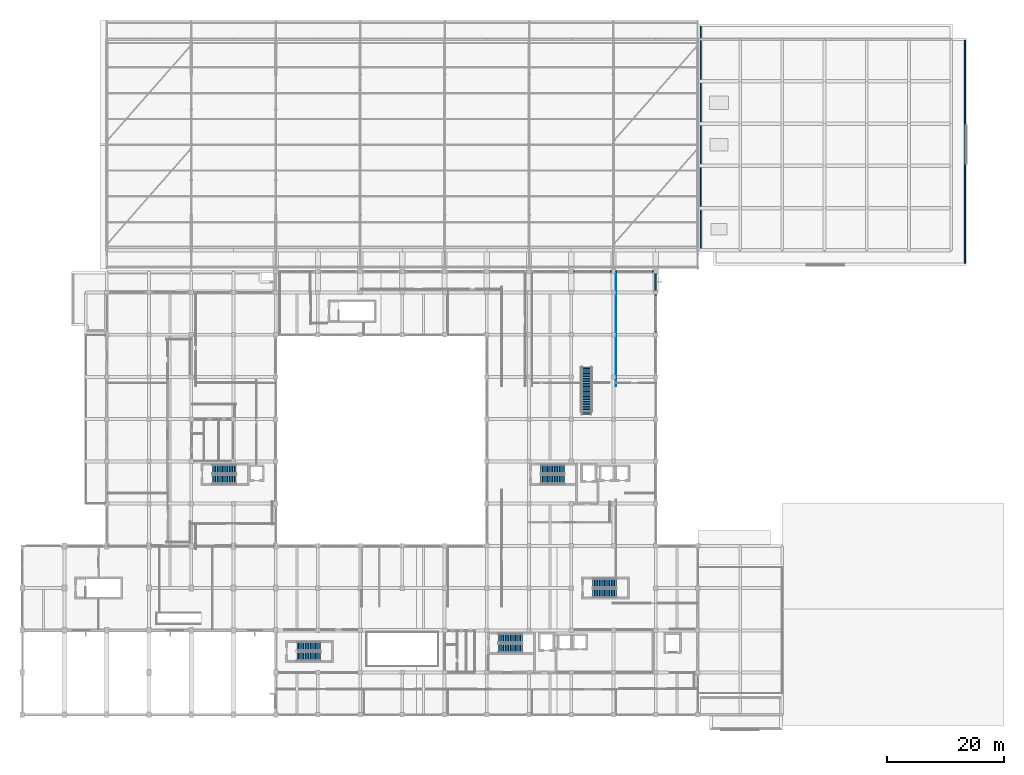
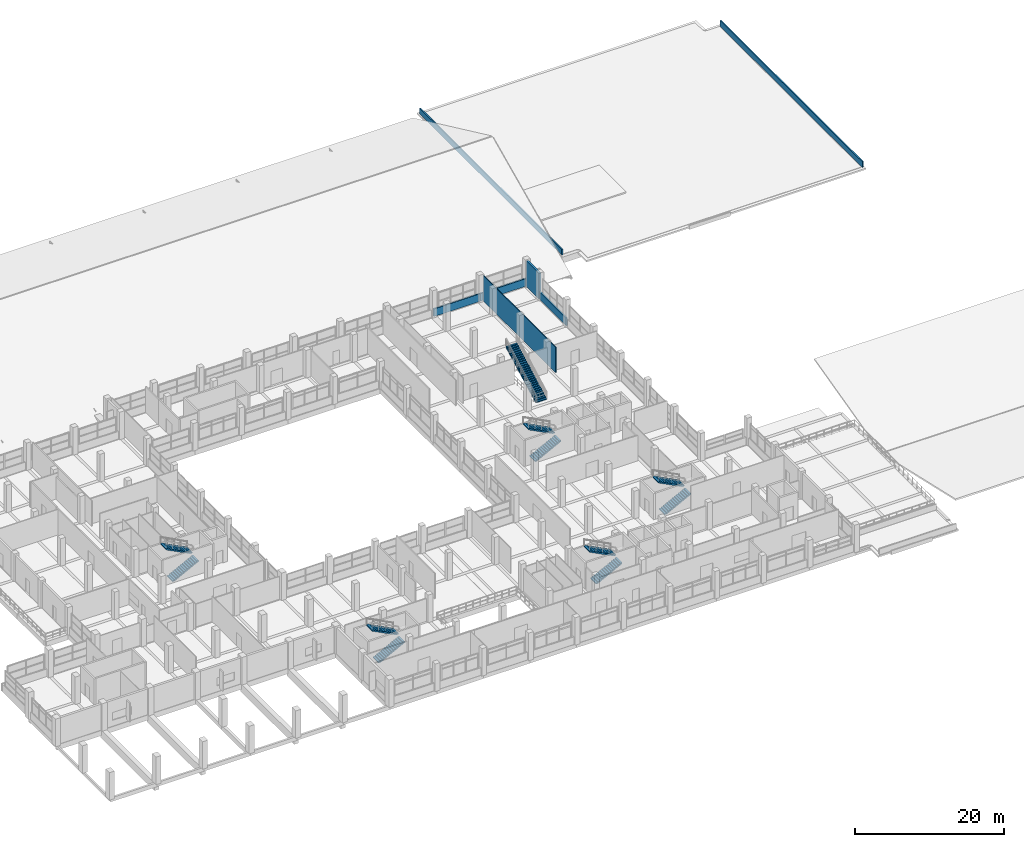
# One storey, part 133 of 141: 11 stair flights, 7 walls, 6 elements without a shape of their own.
"""IFC4 building model written with IfcOpenShell, lengths in metres."""

from ifc_helpers import new_model, si_unit, direction, frame, frame_2d, origin, place, context, subcontext, project, spatial, polyline, rectangle, outline, extrude, material, layer, layer_set, type_object, element, aggregate, save


model = new_model("IFC4")

# Units and contexts
model_context = context("Model", 3, precision=1e-05, world=origin(), true_north=direction((0.0, 1.0)))
body_context = subcontext(model_context, "Body", "Model", "MODEL_VIEW")
ifc_project = project(units=[si_unit("LENGTHUNIT", "METRE"), si_unit("AREAUNIT", "SQUARE_METRE"), si_unit("VOLUMEUNIT", "CUBIC_METRE"), si_unit("PLANEANGLEUNIT", "RADIAN"), si_unit("MASSUNIT", "GRAM", prefix="KILO")], contexts=[model_context])

# Site, building, storey
site_placement = place(None, origin())
site = spatial("IfcSite", under=ifc_project, at=site_placement, CompositionType="ELEMENT")
building_placement = place(site_placement, origin())
building = spatial("IfcBuilding", under=site, at=building_placement, Name="Seraya Terrace Polytechnic", CompositionType="ELEMENT")
storey_placement = place(building_placement, frame((0.0, 0.0, 14.39990234375)))
storey = spatial("IfcBuildingStorey", under=building, at=storey_placement, Name="L03", CompositionType="ELEMENT", Elevation=14.39990234375)

# Walls
ifc_material_1 = material(Name="Precast concrete C40/50", Category="concrete")
ifc_layer_1 = layer(ifc_material_1, 0.280029296875, Name="EW-02")
ifc_layer_set_1 = layer_set([ifc_layer_1], Name="Precast concrete C40/50")
wall_type_1 = type_object("IfcWallType", Name="EW-02", PredefinedType="SOLIDWALL", material=ifc_layer_set_1)
wall_1_placement = place(storey_placement, frame((108.0, 75.447998046875, 0.0), z_axis=(0.0, 0.0, 1.0), x_axis=(0.0, -1.0, 0.0)))
element("IfcWall", 1, at=wall_1_placement, inside=storey, type_object=wall_type_1, Name="Exterior structural wall EW-02 L03", PredefinedType="SOLIDWALL", context=body_context, shape_type="SweptSolid", body=[
    extrude(rectangle(XDim=3.447998046875, YDim=0.280029296875, at=frame_2d((1.72412109375, 0.0))), origin(), (0.0, 0.0, 1.0), 4.22021484375),
])
ifc_layer_2 = layer(ifc_material_1, 0.219970703125, Name="EW-05")
ifc_layer_set_2 = layer_set([ifc_layer_2], Name="Precast concrete C40/50")
wall_type_2 = type_object("IfcWallType", Name="EW-05", PredefinedType="SOLIDWALL", material=ifc_layer_set_2)
wall_2_placement = place(storey_placement, frame((93.60009765625, 75.60009765625, 0.0), z_axis=(0.0, 0.0, 1.0), x_axis=(1.0, 0.0, 0.0)))
element("IfcWall", 2, at=wall_2_placement, inside=storey, type_object=wall_type_2, Name="Precast spandrel wall L03", PredefinedType="SOLIDWALL", context=body_context, shape_type="SweptSolid", body=[
    extrude(rectangle(XDim=7.199951171875, YDim=0.219970703125, at=frame_2d((3.60009765625, 0.0))), origin(), (0.0, 0.0, 1.0), 1.239990234375),
])
wall_3_placement = place(storey_placement, frame((100.800048828125, 75.60009765625, 0.0), z_axis=(0.0, 0.0, 1.0), x_axis=(1.0, 0.0, 0.0)))
element("IfcWall", 3, at=wall_3_placement, inside=storey, type_object=wall_type_2, Name="Precast spandrel wall L03", PredefinedType="SOLIDWALL", context=body_context, shape_type="SweptSolid", body=[
    extrude(rectangle(XDim=7.349853515625, YDim=0.219970703125, at=frame_2d((3.6748046875, 0.0))), origin(), (0.0, 0.0, 1.0), 1.239990234375),
])
wall_4_placement = place(storey_placement, frame((108.0, 72.0, 0.0), z_axis=(0.0, 0.0, 1.0), x_axis=(0.0, -1.0, 0.0)))
element("IfcWall", 4, at=wall_4_placement, inside=storey, type_object=wall_type_2, Name="Precast spandrel wall L03", PredefinedType="SOLIDWALL", context=body_context, shape_type="SweptSolid", body=[
    extrude(rectangle(XDim=7.199951171875, YDim=0.219970703125, at=frame_2d((3.60009765625, 0.0))), origin(), (0.0, 0.0, 1.0), 1.239990234375),
])
ifc_material_2 = material(Name="Autoclaved aerated concrete blockwork", Category="masonry")
ifc_layer_3 = layer(ifc_material_2, 0.1201171875, Name="PT-05")
ifc_layer_set_3 = layer_set([ifc_layer_3], Name="Autoclaved aerated concrete blockwork")
wall_type_3 = type_object("IfcWallType", Name="PT-05", PredefinedType="PARTITIONING", material=ifc_layer_set_3)
wall_5_placement = place(storey_placement, frame((101.242919921875, 56.030029296875, 0.0), z_axis=(0.0, 0.0, 1.0), x_axis=(0.0, 1.0, 0.0)))
element("IfcWall", 5, at=wall_5_placement, inside=storey, type_object=wall_type_3, Name="Internal partition PT-05 L03", PredefinedType="PARTITIONING", context=body_context, shape_type="SweptSolid", body=[
    extrude(rectangle(XDim=19.447998046875, YDim=0.1201171875, at=frame_2d((9.72412109375, 0.0))), origin(), (0.0, 0.0, 1.0), 4.16015625),
])
ifc_layer_4 = layer(ifc_material_1, 0.179931640625, Name="PW-P2")
ifc_layer_set_4 = layer_set([ifc_layer_4], Name="Precast concrete C40/50")
wall_type_4 = type_object("IfcWallType", Name="PW-P2", PredefinedType="PARAPET", material=ifc_layer_set_4)
wall_6_placement = place(storey_placement, frame((115.699951171875, 79.360107421875, 0.0), z_axis=(0.0, 0.0, 1.0), x_axis=(0.0, 1.0, 0.0)))
element("IfcWall", 6, at=wall_6_placement, inside=storey, type_object=wall_type_4, Name="Roof parapet ROOF-L03-V1ANNEX 6.1", PredefinedType="PARAPET", context=body_context, shape_type="SweptSolid", body=[
    extrude(rectangle(XDim=38.079833984375, YDim=0.179931640625, at=frame_2d((19.0400390625, 0.0))), origin(), (0.0, 0.0, 1.0), 0.9501953125),
])
wall_7_placement = place(storey_placement, frame((160.75, 115.0400390625, 0.0), z_axis=(0.0, 0.0, 1.0), x_axis=(0.0, -1.0, 0.0)))
element("IfcWall", 7, at=wall_7_placement, inside=storey, type_object=wall_type_4, Name="Roof parapet ROOF-L03-V1ANNEX 14.1", PredefinedType="PARAPET", context=body_context, shape_type="SweptSolid", body=[
    extrude(rectangle(XDim=38.080078125, YDim=0.179931640625, at=frame_2d((19.0400390625, 0.0))), origin(), (0.0, 0.0, 1.0), 0.9501953125),
])

# Stair, stair flights
ifc_material_3 = material(Name="Concrete C40/50", Category="concrete")
stair_type_1 = type_object("IfcStairType", Name="ST-T2", PredefinedType="HALF_TURN_STAIR", material=ifc_material_3)
stair_1_placement = place(storey_placement, origin())
stair_1 = element("IfcStair", 8, at=stair_1_placement, inside=storey, type_object=stair_type_1, Name="L03 Protected exit stair ST-01", PredefinedType="HALF_TURN_STAIR")
stair_flight_type_1 = type_object("IfcStairFlightType", Name="SF-02", PredefinedType="STRAIGHT", material=ifc_material_3)
stair_flight_1_placement = place(storey_placement, frame((81.199951171875, 11.35009765625, 0.0), z_axis=(0.0, 0.0, 1.0), x_axis=(1.0, 0.0, 0.0)))
stair_flight_1 = element("IfcStairFlight", 9, at=stair_flight_1_placement, type_object=stair_flight_type_1, Name="ST-01 flight 1", NumberOfRisers=15, NumberOfTreads=14, PredefinedType="STRAIGHT", RiserHeight=0.15, TreadLength=0.29, context=body_context, shape_type="SweptSolid", body=[
    extrude(outline(polyline([(0.0, 0.0), (0.0, 0.14990234375), (0.2900390625, 0.14990234375), (0.2900390625, 0.300048828125), (0.580078125, 0.300048828125), (0.580078125, 0.449951171875), (0.8701171875, 0.449951171875), (0.8701171875, 0.60009765625), (1.159912109375, 0.60009765625), (1.159912109375, 0.75), (1.449951171875, 0.75), (1.449951171875, 0.89990234375), (1.739990234375, 0.89990234375), (1.739990234375, 1.050048828125), (2.030029296875, 1.050048828125), (2.030029296875, 1.199951171875), (2.320068359375, 1.199951171875), (2.320068359375, 1.35009765625), (2.610107421875, 1.35009765625), (2.610107421875, 1.5), (2.89990234375, 1.5), (2.89990234375, 1.64990234375), (3.18994140625, 1.64990234375), (3.18994140625, 1.800048828125), (3.47998046875, 1.800048828125), (3.47998046875, 1.949951171875), (3.77001953125, 1.949951171875), (3.77001953125, 2.10009765625), (4.06005859375, 2.10009765625), (4.06005859375, 2.25), (4.06005859375, 1.919921875), (0.34814453125, 0.0), (0.0, 0.0)])), frame((0.0, 0.75, 0.0), z_axis=(0.0, -1.0, 0.0), x_axis=(1.0, 0.0, 0.0)), (0.0, 0.0, 1.0), 1.5),
])
stair_flight_2_placement = place(storey_placement, frame((85.260009765625, 13.050048828125, 2.25), z_axis=(0.0, 0.0, 1.0), x_axis=(-1.0, 0.0, 0.0)))
stair_flight_2 = element("IfcStairFlight", 10, at=stair_flight_2_placement, type_object=stair_flight_type_1, Name="ST-01 flight 2", NumberOfRisers=15, NumberOfTreads=14, PredefinedType="STRAIGHT", RiserHeight=0.15, TreadLength=0.29, context=body_context, shape_type="SweptSolid", body=[
    extrude(outline(polyline([(0.0, 0.0), (0.0, 0.14990234375), (0.2900390625, 0.14990234375), (0.2900390625, 0.300048828125), (0.580078125, 0.300048828125), (0.580078125, 0.449951171875), (0.8701171875, 0.449951171875), (0.8701171875, 0.60009765625), (1.159912109375, 0.60009765625), (1.159912109375, 0.75), (1.449951171875, 0.75), (1.449951171875, 0.89990234375), (1.739990234375, 0.89990234375), (1.739990234375, 1.050048828125), (2.030029296875, 1.050048828125), (2.030029296875, 1.199951171875), (2.320068359375, 1.199951171875), (2.320068359375, 1.35009765625), (2.610107421875, 1.35009765625), (2.610107421875, 1.5), (2.89990234375, 1.5), (2.89990234375, 1.64990234375), (3.18994140625, 1.64990234375), (3.18994140625, 1.800048828125), (3.47998046875, 1.800048828125), (3.47998046875, 1.949951171875), (3.77001953125, 1.949951171875), (3.77001953125, 2.10009765625), (4.06005859375, 2.10009765625), (4.06005859375, 2.25), (4.06005859375, 1.919921875), (0.34814453125, 0.0), (0.0, 0.0)])), frame((0.0, 0.75, 0.0), z_axis=(0.0, -1.0, 0.0), x_axis=(1.0, 0.0, 0.0)), (0.0, 0.0, 1.0), 1.5),
])
aggregate(stair_1, [stair_flight_1, stair_flight_2])

stair_2_placement = place(storey_placement, origin())
stair_2 = element("IfcStair", 11, at=stair_2_placement, inside=storey, type_object=stair_type_1, Name="L03 Protected exit stair ST-02", PredefinedType="HALF_TURN_STAIR")
stair_flight_3_placement = place(storey_placement, frame((88.39990234375, 40.14990234375, 0.0), z_axis=(0.0, 0.0, 1.0), x_axis=(1.0, 0.0, 0.0)))
stair_flight_3 = element("IfcStairFlight", 12, at=stair_flight_3_placement, type_object=stair_flight_type_1, Name="ST-02 flight 1", NumberOfRisers=15, NumberOfTreads=14, PredefinedType="STRAIGHT", RiserHeight=0.15, TreadLength=0.29, context=body_context, shape_type="SweptSolid", body=[
    extrude(outline(polyline([(0.0, 0.0), (0.0, 0.14990234375), (0.2900390625, 0.14990234375), (0.2900390625, 0.300048828125), (0.580078125, 0.300048828125), (0.580078125, 0.449951171875), (0.8701171875, 0.449951171875), (0.8701171875, 0.60009765625), (1.159912109375, 0.60009765625), (1.159912109375, 0.75), (1.449951171875, 0.75), (1.449951171875, 0.89990234375), (1.739990234375, 0.89990234375), (1.739990234375, 1.050048828125), (2.030029296875, 1.050048828125), (2.030029296875, 1.199951171875), (2.320068359375, 1.199951171875), (2.320068359375, 1.35009765625), (2.610107421875, 1.35009765625), (2.610107421875, 1.5), (2.89990234375, 1.5), (2.89990234375, 1.64990234375), (3.18994140625, 1.64990234375), (3.18994140625, 1.800048828125), (3.47998046875, 1.800048828125), (3.47998046875, 1.949951171875), (3.77001953125, 1.949951171875), (3.77001953125, 2.10009765625), (4.06005859375, 2.10009765625), (4.06005859375, 2.25), (4.06005859375, 1.919921875), (0.34814453125, 0.0), (0.0, 0.0)])), frame((0.0, 0.75, 0.0), z_axis=(0.0, -1.0, 0.0), x_axis=(1.0, 0.0, 0.0)), (0.0, 0.0, 1.0), 1.5),
])
stair_flight_4_placement = place(storey_placement, frame((92.4599609375, 41.85009765625, 2.25), z_axis=(0.0, 0.0, 1.0), x_axis=(-1.0, 0.0, 0.0)))
stair_flight_4 = element("IfcStairFlight", 13, at=stair_flight_4_placement, type_object=stair_flight_type_1, Name="ST-02 flight 2", NumberOfRisers=15, NumberOfTreads=14, PredefinedType="STRAIGHT", RiserHeight=0.15, TreadLength=0.29, context=body_context, shape_type="SweptSolid", body=[
    extrude(outline(polyline([(0.0, 0.0), (0.0, 0.14990234375), (0.2900390625, 0.14990234375), (0.2900390625, 0.300048828125), (0.580078125, 0.300048828125), (0.580078125, 0.449951171875), (0.8701171875, 0.449951171875), (0.8701171875, 0.60009765625), (1.159912109375, 0.60009765625), (1.159912109375, 0.75), (1.449951171875, 0.75), (1.449951171875, 0.89990234375), (1.739990234375, 0.89990234375), (1.739990234375, 1.050048828125), (2.030029296875, 1.050048828125), (2.030029296875, 1.199951171875), (2.320068359375, 1.199951171875), (2.320068359375, 1.35009765625), (2.610107421875, 1.35009765625), (2.610107421875, 1.5), (2.89990234375, 1.5), (2.89990234375, 1.64990234375), (3.18994140625, 1.64990234375), (3.18994140625, 1.800048828125), (3.47998046875, 1.800048828125), (3.47998046875, 1.949951171875), (3.77001953125, 1.949951171875), (3.77001953125, 2.10009765625), (4.06005859375, 2.10009765625), (4.06005859375, 2.25), (4.06005859375, 1.919921875), (0.34814453125, 0.0), (0.0, 0.0)])), frame((0.0, 0.75, 0.0), z_axis=(0.0, -1.0, 0.0), x_axis=(1.0, 0.0, 0.0)), (0.0, 0.0, 1.0), 1.5),
])
aggregate(stair_2, [stair_flight_3, stair_flight_4])

stair_3_placement = place(storey_placement, origin())
stair_3 = element("IfcStair", 14, at=stair_3_placement, inside=storey, type_object=stair_type_1, Name="L03 Protected exit stair ST-03", PredefinedType="HALF_TURN_STAIR")
stair_flight_5_placement = place(storey_placement, frame((46.800048828125, 9.949951171875, 0.0), z_axis=(0.0, 0.0, 1.0), x_axis=(1.0, 0.0, 0.0)))
stair_flight_5 = element("IfcStairFlight", 15, at=stair_flight_5_placement, type_object=stair_flight_type_1, Name="ST-03 flight 1", NumberOfRisers=15, NumberOfTreads=14, PredefinedType="STRAIGHT", RiserHeight=0.15, TreadLength=0.29, context=body_context, shape_type="SweptSolid", body=[
    extrude(outline(polyline([(0.0, 0.0), (0.0, 0.14990234375), (0.2900390625, 0.14990234375), (0.2900390625, 0.300048828125), (0.580078125, 0.300048828125), (0.580078125, 0.449951171875), (0.8701171875, 0.449951171875), (0.8701171875, 0.60009765625), (1.159912109375, 0.60009765625), (1.159912109375, 0.75), (1.449951171875, 0.75), (1.449951171875, 0.89990234375), (1.739990234375, 0.89990234375), (1.739990234375, 1.050048828125), (2.030029296875, 1.050048828125), (2.030029296875, 1.199951171875), (2.320068359375, 1.199951171875), (2.320068359375, 1.35009765625), (2.610107421875, 1.35009765625), (2.610107421875, 1.5), (2.89990234375, 1.5), (2.89990234375, 1.64990234375), (3.18994140625, 1.64990234375), (3.18994140625, 1.800048828125), (3.47998046875, 1.800048828125), (3.47998046875, 1.949951171875), (3.77001953125, 1.949951171875), (3.77001953125, 2.10009765625), (4.06005859375, 2.10009765625), (4.06005859375, 2.25), (4.06005859375, 1.919921875), (0.34814453125, 0.0), (0.0, 0.0)])), frame((0.0, 0.75, 0.0), z_axis=(0.0, -1.0, 0.0), x_axis=(1.0, 0.0, 0.0)), (0.0, 0.0, 1.0), 1.5),
])
stair_flight_6_placement = place(storey_placement, frame((50.860107421875, 11.64990234375, 2.25), z_axis=(0.0, 0.0, 1.0), x_axis=(-1.0, 0.0, 0.0)))
stair_flight_6 = element("IfcStairFlight", 16, at=stair_flight_6_placement, type_object=stair_flight_type_1, Name="ST-03 flight 2", NumberOfRisers=15, NumberOfTreads=14, PredefinedType="STRAIGHT", RiserHeight=0.15, TreadLength=0.29, context=body_context, shape_type="SweptSolid", body=[
    extrude(outline(polyline([(0.0, 0.0), (0.0, 0.14990234375), (0.2900390625, 0.14990234375), (0.2900390625, 0.300048828125), (0.580078125, 0.300048828125), (0.580078125, 0.449951171875), (0.8701171875, 0.449951171875), (0.8701171875, 0.60009765625), (1.159912109375, 0.60009765625), (1.159912109375, 0.75), (1.449951171875, 0.75), (1.449951171875, 0.89990234375), (1.739990234375, 0.89990234375), (1.739990234375, 1.050048828125), (2.030029296875, 1.050048828125), (2.030029296875, 1.199951171875), (2.320068359375, 1.199951171875), (2.320068359375, 1.35009765625), (2.610107421875, 1.35009765625), (2.610107421875, 1.5), (2.89990234375, 1.5), (2.89990234375, 1.64990234375), (3.18994140625, 1.64990234375), (3.18994140625, 1.800048828125), (3.47998046875, 1.800048828125), (3.47998046875, 1.949951171875), (3.77001953125, 1.949951171875), (3.77001953125, 2.10009765625), (4.06005859375, 2.10009765625), (4.06005859375, 2.25), (4.06005859375, 1.919921875), (0.34814453125, 0.0), (0.0, 0.0)])), frame((0.0, 0.75, 0.0), z_axis=(0.0, -1.0, 0.0), x_axis=(1.0, 0.0, 0.0)), (0.0, 0.0, 1.0), 1.5),
])
aggregate(stair_3, [stair_flight_5, stair_flight_6])

stair_4_placement = place(storey_placement, origin())
stair_4 = element("IfcStair", 17, at=stair_4_placement, inside=storey, type_object=stair_type_1, Name="L03 Protected exit stair ST-04", PredefinedType="HALF_TURN_STAIR")
stair_flight_7_placement = place(storey_placement, frame((32.39990234375, 40.14990234375, 0.0), z_axis=(0.0, 0.0, 1.0), x_axis=(1.0, 0.0, 0.0)))
stair_flight_7 = element("IfcStairFlight", 18, at=stair_flight_7_placement, type_object=stair_flight_type_1, Name="ST-04 flight 1", NumberOfRisers=15, NumberOfTreads=14, PredefinedType="STRAIGHT", RiserHeight=0.15, TreadLength=0.29, context=body_context, shape_type="SweptSolid", body=[
    extrude(outline(polyline([(0.0, 0.0), (0.0, 0.14990234375), (0.2900390625, 0.14990234375), (0.2900390625, 0.300048828125), (0.580078125, 0.300048828125), (0.580078125, 0.449951171875), (0.8701171875, 0.449951171875), (0.8701171875, 0.60009765625), (1.159912109375, 0.60009765625), (1.159912109375, 0.75), (1.449951171875, 0.75), (1.449951171875, 0.89990234375), (1.739990234375, 0.89990234375), (1.739990234375, 1.050048828125), (2.030029296875, 1.050048828125), (2.030029296875, 1.199951171875), (2.320068359375, 1.199951171875), (2.320068359375, 1.35009765625), (2.610107421875, 1.35009765625), (2.610107421875, 1.5), (2.89990234375, 1.5), (2.89990234375, 1.64990234375), (3.18994140625, 1.64990234375), (3.18994140625, 1.800048828125), (3.47998046875, 1.800048828125), (3.47998046875, 1.949951171875), (3.77001953125, 1.949951171875), (3.77001953125, 2.10009765625), (4.06005859375, 2.10009765625), (4.06005859375, 2.25), (4.06005859375, 1.919921875), (0.34814453125, 0.0), (0.0, 0.0)])), frame((0.0, 0.75, 0.0), z_axis=(0.0, -1.0, 0.0), x_axis=(1.0, 0.0, 0.0)), (0.0, 0.0, 1.0), 1.5),
])
stair_flight_8_placement = place(storey_placement, frame((36.4599609375, 41.85009765625, 2.25), z_axis=(0.0, 0.0, 1.0), x_axis=(-1.0, 0.0, 0.0)))
stair_flight_8 = element("IfcStairFlight", 19, at=stair_flight_8_placement, type_object=stair_flight_type_1, Name="ST-04 flight 2", NumberOfRisers=15, NumberOfTreads=14, PredefinedType="STRAIGHT", RiserHeight=0.15, TreadLength=0.29, context=body_context, shape_type="SweptSolid", body=[
    extrude(outline(polyline([(0.0, 0.0), (0.0, 0.14990234375), (0.2900390625, 0.14990234375), (0.2900390625, 0.300048828125), (0.580078125, 0.300048828125), (0.580078125, 0.449951171875), (0.8701171875, 0.449951171875), (0.8701171875, 0.60009765625), (1.159912109375, 0.60009765625), (1.159912109375, 0.75), (1.449951171875, 0.75), (1.449951171875, 0.89990234375), (1.739990234375, 0.89990234375), (1.739990234375, 1.050048828125), (2.030029296875, 1.050048828125), (2.030029296875, 1.199951171875), (2.320068359375, 1.199951171875), (2.320068359375, 1.35009765625), (2.610107421875, 1.35009765625), (2.610107421875, 1.5), (2.89990234375, 1.5), (2.89990234375, 1.64990234375), (3.18994140625, 1.64990234375), (3.18994140625, 1.800048828125), (3.47998046875, 1.800048828125), (3.47998046875, 1.949951171875), (3.77001953125, 1.949951171875), (3.77001953125, 2.10009765625), (4.06005859375, 2.10009765625), (4.06005859375, 2.25), (4.06005859375, 1.919921875), (0.34814453125, 0.0), (0.0, 0.0)])), frame((0.0, 0.75, 0.0), z_axis=(0.0, -1.0, 0.0), x_axis=(1.0, 0.0, 0.0)), (0.0, 0.0, 1.0), 1.5),
])
aggregate(stair_4, [stair_flight_7, stair_flight_8])

stair_5_placement = place(storey_placement, origin())
stair_5 = element("IfcStair", 20, at=stair_5_placement, inside=storey, type_object=stair_type_1, Name="L03 Protected exit stair ST-05", PredefinedType="HALF_TURN_STAIR")
stair_flight_9_placement = place(storey_placement, frame((97.25, 20.75, 0.0), z_axis=(0.0, 0.0, 1.0), x_axis=(1.0, 0.0, 0.0)))
stair_flight_9 = element("IfcStairFlight", 21, at=stair_flight_9_placement, type_object=stair_flight_type_1, Name="ST-05 flight 1", NumberOfRisers=15, NumberOfTreads=14, PredefinedType="STRAIGHT", RiserHeight=0.15, TreadLength=0.29, context=body_context, shape_type="SweptSolid", body=[
    extrude(outline(polyline([(0.0, 0.0), (0.0, 0.14990234375), (0.2900390625, 0.14990234375), (0.2900390625, 0.300048828125), (0.580078125, 0.300048828125), (0.580078125, 0.449951171875), (0.8701171875, 0.449951171875), (0.8701171875, 0.60009765625), (1.159912109375, 0.60009765625), (1.159912109375, 0.75), (1.449951171875, 0.75), (1.449951171875, 0.89990234375), (1.739990234375, 0.89990234375), (1.739990234375, 1.050048828125), (2.030029296875, 1.050048828125), (2.030029296875, 1.199951171875), (2.320068359375, 1.199951171875), (2.320068359375, 1.35009765625), (2.610107421875, 1.35009765625), (2.610107421875, 1.5), (2.89990234375, 1.5), (2.89990234375, 1.64990234375), (3.18994140625, 1.64990234375), (3.18994140625, 1.800048828125), (3.47998046875, 1.800048828125), (3.47998046875, 1.949951171875), (3.77001953125, 1.949951171875), (3.77001953125, 2.10009765625), (4.06005859375, 2.10009765625), (4.06005859375, 2.25), (4.06005859375, 1.919921875), (0.34814453125, 0.0), (0.0, 0.0)])), frame((0.0, 0.75, 0.0), z_axis=(0.0, -1.0, 0.0), x_axis=(1.0, 0.0, 0.0)), (0.0, 0.0, 1.0), 1.5),
])
stair_flight_10_placement = place(storey_placement, frame((101.31005859375, 22.449951171875, 2.25), z_axis=(0.0, 0.0, 1.0), x_axis=(-1.0, 0.0, 0.0)))
stair_flight_10 = element("IfcStairFlight", 22, at=stair_flight_10_placement, type_object=stair_flight_type_1, Name="ST-05 flight 2", NumberOfRisers=15, NumberOfTreads=14, PredefinedType="STRAIGHT", RiserHeight=0.15, TreadLength=0.29, context=body_context, shape_type="SweptSolid", body=[
    extrude(outline(polyline([(0.0, 0.0), (0.0, 0.14990234375), (0.2900390625, 0.14990234375), (0.2900390625, 0.300048828125), (0.580078125, 0.300048828125), (0.580078125, 0.449951171875), (0.8701171875, 0.449951171875), (0.8701171875, 0.60009765625), (1.159912109375, 0.60009765625), (1.159912109375, 0.75), (1.449951171875, 0.75), (1.449951171875, 0.89990234375), (1.739990234375, 0.89990234375), (1.739990234375, 1.050048828125), (2.030029296875, 1.050048828125), (2.030029296875, 1.199951171875), (2.320068359375, 1.199951171875), (2.320068359375, 1.35009765625), (2.610107421875, 1.35009765625), (2.610107421875, 1.5), (2.89990234375, 1.5), (2.89990234375, 1.64990234375), (3.18994140625, 1.64990234375), (3.18994140625, 1.800048828125), (3.47998046875, 1.800048828125), (3.47998046875, 1.949951171875), (3.77001953125, 1.949951171875), (3.77001953125, 2.10009765625), (4.06005859375, 2.10009765625), (4.06005859375, 2.25), (4.06005859375, 1.919921875), (0.34814453125, 0.0), (0.0, 0.0)])), frame((0.0, 0.75, 0.0), z_axis=(0.0, -1.0, 0.0), x_axis=(1.0, 0.0, 0.0)), (0.0, 0.0, 1.0), 1.5),
])
aggregate(stair_5, [stair_flight_9, stair_flight_10])

# Stair, stair flight
stair_type_2 = type_object("IfcStairType", Name="ST-T4", PredefinedType="STRAIGHT_RUN_STAIR", material=ifc_material_3)
stair_6_placement = place(storey_placement, origin())
stair_6 = element("IfcStair", 23, at=stair_6_placement, inside=storey, type_object=stair_type_2, Name="Architectural straight stair ST-16 L03", PredefinedType="STRAIGHT_RUN_STAIR")
stair_flight_type_2 = type_object("IfcStairFlightType", Name="SF-04", PredefinedType="STRAIGHT", material=ifc_material_3)
stair_flight_11_placement = place(storey_placement, frame((96.239990234375, 51.199951171875, 0.0), z_axis=(0.0, 0.0, 1.0), x_axis=(0.0, 1.0, 0.0)))
stair_flight_11 = element("IfcStairFlight", 24, at=stair_flight_11_placement, type_object=stair_flight_type_2, Name="ST-16 flight 1", NumberOfRisers=30, NumberOfTreads=29, PredefinedType="STRAIGHT", RiserHeight=0.15, TreadLength=0.28, context=body_context, shape_type="SweptSolid", body=[
    extrude(outline(polyline([(0.0, 0.0), (0.0, 0.14990234375), (0.280029296875, 0.14990234375), (0.280029296875, 0.300048828125), (0.56005859375, 0.300048828125), (0.56005859375, 0.449951171875), (0.840087890625, 0.449951171875), (0.840087890625, 0.60009765625), (1.1201171875, 0.60009765625), (1.1201171875, 0.75), (1.39990234375, 0.75), (1.39990234375, 0.89990234375), (1.679931640625, 0.89990234375), (1.679931640625, 1.050048828125), (1.9599609375, 1.050048828125), (1.9599609375, 1.199951171875), (2.239990234375, 1.199951171875), (2.239990234375, 1.35009765625), (2.52001953125, 1.35009765625), (2.52001953125, 1.5), (2.800048828125, 1.5), (2.800048828125, 1.64990234375), (3.080078125, 1.64990234375), (3.080078125, 1.800048828125), (3.360107421875, 1.800048828125), (3.360107421875, 1.949951171875), (3.639892578125, 1.949951171875), (3.639892578125, 2.10009765625), (3.919921875, 2.10009765625), (3.919921875, 2.25), (4.199951171875, 2.25), (4.199951171875, 2.39990234375), (4.47998046875, 2.39990234375), (4.47998046875, 2.550048828125), (4.760009765625, 2.550048828125), (4.760009765625, 2.699951171875), (5.0400390625, 2.699951171875), (5.0400390625, 2.85009765625), (5.320068359375, 2.85009765625), (5.320068359375, 3.0), (5.60009765625, 3.0), (5.60009765625, 3.14990234375), (5.8798828125, 3.14990234375), (5.8798828125, 3.300048828125), (6.159912109375, 3.300048828125), (6.159912109375, 3.449951171875), (6.43994140625, 3.449951171875), (6.43994140625, 3.60009765625), (6.719970703125, 3.60009765625), (6.719970703125, 3.75), (7.0, 3.75), (7.0, 3.89990234375), (7.280029296875, 3.89990234375), (7.280029296875, 4.050048828125), (7.56005859375, 4.050048828125), (7.56005859375, 4.199951171875), (7.840087890625, 4.199951171875), (7.840087890625, 4.35009765625), (8.1201171875, 4.35009765625), (8.1201171875, 4.5), (8.1201171875, 4.14599609375), (0.381103515625, 0.0), (0.0, 0.0)])), frame((0.0, 0.83984375, 0.0), z_axis=(0.0, -1.0, 0.0), x_axis=(1.0, 0.0, 0.0)), (0.0, 0.0, 1.0), 1.679931640625),
])
aggregate(stair_6, [stair_flight_11])

save(model, "model.ifc")
